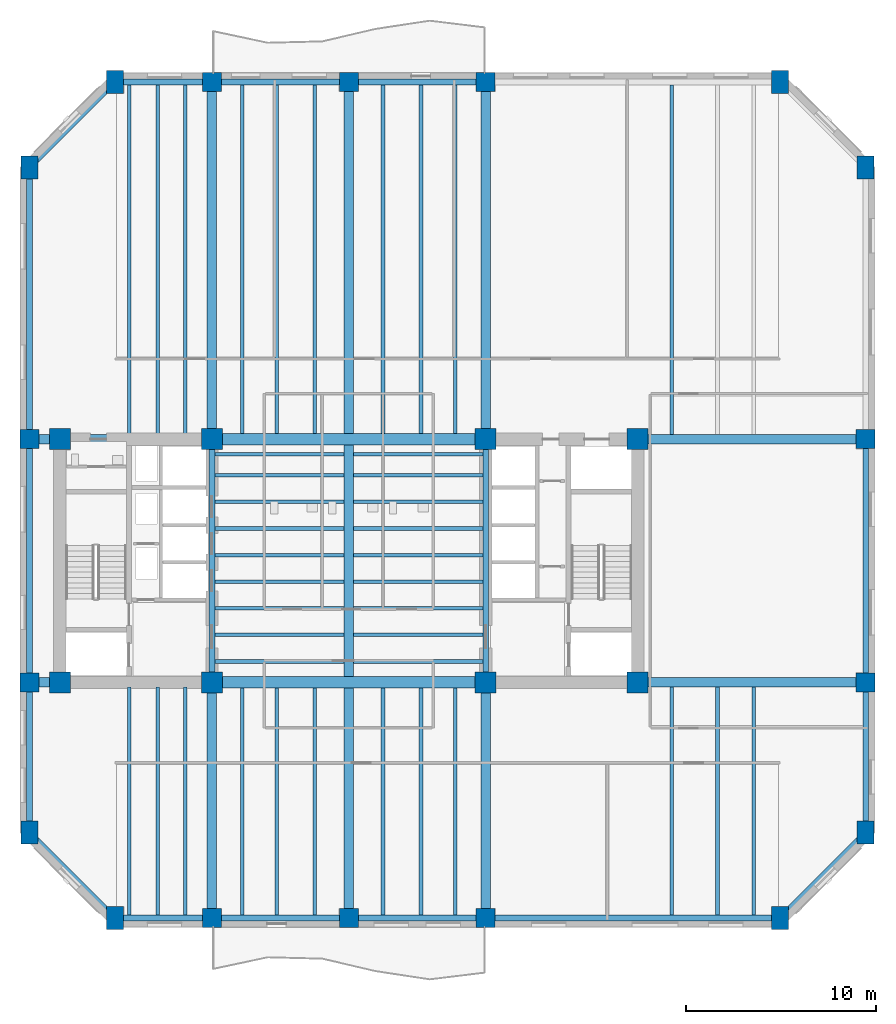
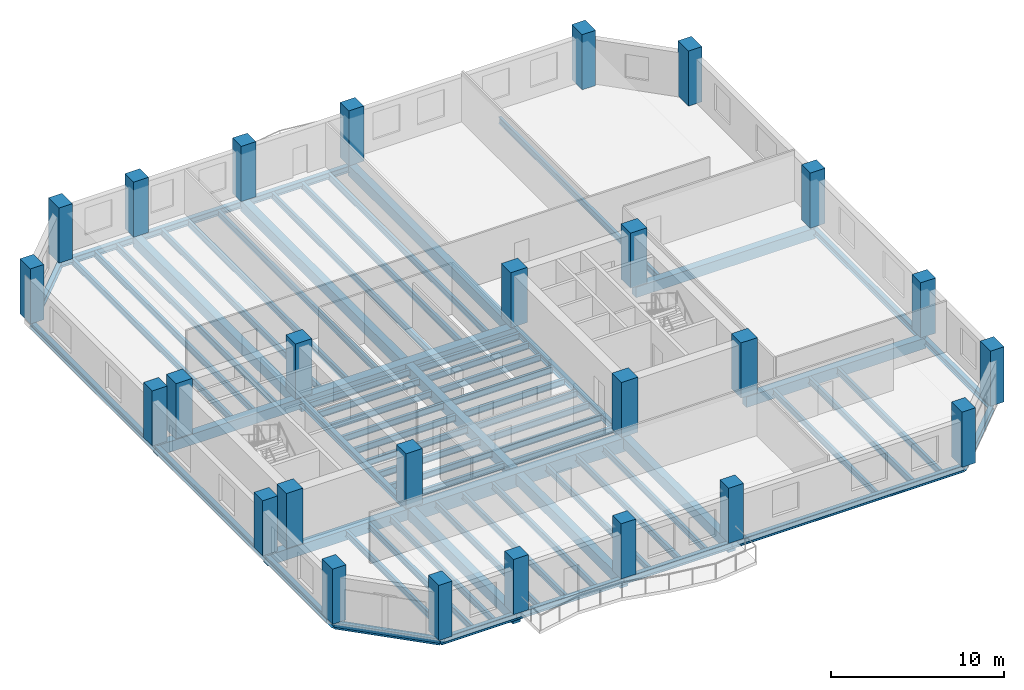
# One storey, part 1 of 9: 70 beams, 26 columns.
"""IFC4 building model written with IfcOpenShell, lengths in metres."""

import ifcopenshell
import ifcopenshell.guid

model = None  # the IFC model being written
_history = None  # IfcOwnerHistory: only IFC2X3 demands one
_inside = {}  # id of a spatial element -> (the spatial element, [elements in it])
_under = {}  # id of a project, library or spatial element -> (it, [spatial elements below it])
_declared = {}  # id of a project -> (the project, [libraries it declares])
_typed = {}  # id of a type object -> (the type object, [elements of that type])
_made_of = {}  # id of a material, layer set ... -> (it, [elements and type objects made of it])


def new_model(schema):
    """Start an empty IFC model of exactly this schema.

    Asked for "IFC4X3", IfcOpenShell would pick the latest addendum, in which some entities
    have other attributes; the version numbers below select the first issue.
    IFC2X3 requires an IfcOwnerHistory on every rooted entity: one is made here for all.
    """
    global model, _history
    if schema == "IFC4X3":
        model = ifcopenshell.file(schema_version=(4, 3, 0, 0))
    else:
        model = ifcopenshell.file(schema=schema)
    _inside.clear()
    _under.clear()
    _declared.clear()
    _typed.clear()
    _made_of.clear()
    _history = None
    if model.schema == "IFC2X3":
        org = make("IfcOrganization", Name="unknown")
        user = make(
            "IfcPersonAndOrganization",
            ThePerson=make("IfcPerson", FamilyName="unknown"),
            TheOrganization=org,
        )
        app = make(
            "IfcApplication",
            ApplicationDeveloper=org,
            Version="unknown",
            ApplicationFullName="unknown",
            ApplicationIdentifier="unknown",
        )
        _history = make(
            "IfcOwnerHistory",
            OwningUser=user,
            OwningApplication=app,
            ChangeAction="ADDED",
            CreationDate=0,
        )
    return model


def make(cls, **values):
    """One entity of the class cls with the attributes given. An attribute that is None is left unset."""
    return model.create_entity(
        cls, **{name: value for name, value in values.items() if value is not None}
    )


def rooted(cls, **values):
    """An entity with a GlobalId (a new one), such as an element, a storey or a relation."""
    return make(cls, GlobalId=ifcopenshell.guid.new(), OwnerHistory=_history, **values)


def si_unit(unit_type, name, prefix=None):
    """IfcSIUnit, for example si_unit("LENGTHUNIT", "METRE", prefix="MILLI")."""
    return make("IfcSIUnit", UnitType=unit_type, Prefix=prefix, Name=name)


def assignment(units):
    """IfcUnitAssignment: the units of a project."""
    return None if units is None else make("IfcUnitAssignment", Units=units)


def point(xyz):
    """IfcCartesianPoint."""
    return None if xyz is None else make("IfcCartesianPoint", Coordinates=xyz)


def direction(xyz):
    """IfcDirection."""
    return None if xyz is None else make("IfcDirection", DirectionRatios=xyz)


def frame(location, z_axis=None, x_axis=None):
    """IfcAxis2Placement3D, a coordinate frame: its origin and axes. An axis left out is left unset."""
    return make(
        "IfcAxis2Placement3D",
        Location=point(location),
        Axis=direction(z_axis),
        RefDirection=direction(x_axis),
    )


def frame_2d(location, x_axis=None):
    """IfcAxis2Placement2D, a coordinate frame in the plane: its origin and x axis."""
    return make(
        "IfcAxis2Placement2D", Location=point(location), RefDirection=direction(x_axis)
    )


def origin():
    """The frame at (0, 0, 0) with its axes left unset."""
    return frame((0.0, 0.0, 0.0))


def origin_2d():
    """The frame at (0, 0) in the plane with its x axis left unset."""
    return frame_2d((0.0, 0.0))


def place(relative_to, where):
    """IfcLocalPlacement: puts the frame where relative to a parent placement (None: the world)."""
    return make(
        "IfcLocalPlacement", PlacementRelTo=relative_to, RelativePlacement=where
    )


def context(
    kind, dimensions, precision=None, world=None, true_north=None, identifier=None
):
    """IfcGeometricRepresentationContext, for example the 3D "Model" context."""
    return make(
        "IfcGeometricRepresentationContext",
        ContextIdentifier=identifier,
        ContextType=kind,
        CoordinateSpaceDimension=dimensions,
        Precision=precision,
        WorldCoordinateSystem=world,
        TrueNorth=true_north,
    )


def subcontext(parent, identifier, kind, view, scale=None):
    """IfcGeometricRepresentationSubContext, for example "Body" below "Model"."""
    return make(
        "IfcGeometricRepresentationSubContext",
        ContextIdentifier=identifier,
        ContextType=kind,
        ParentContext=parent,
        TargetScale=scale,
        TargetView=view,
    )


def project(units=None, contexts=None):
    """IfcProject with its units and contexts."""
    return rooted(
        "IfcProject",
        Name="project",
        RepresentationContexts=contexts,
        UnitsInContext=assignment(units),
    )


def spatial(cls, under=None, at=None, **own):
    """A site, building, storey or space (cls), placed at a placement, below another one or the project."""
    s = rooted(cls, ObjectPlacement=at, **own)
    if under is not None:
        _under.setdefault(under.id(), (under, []))[1].append(s)
    return s


def profile(cls, at=None, kind="AREA", **sizes):
    """A parametric profile (cls). Its sizes go by their IFC names, for example OverallWidth=200.0."""
    return make(cls, ProfileType=kind, Position=at, **sizes)


def rectangle(**sizes):
    """IfcRectangleProfileDef."""
    return profile("IfcRectangleProfileDef", **sizes)


def i_section(**sizes):
    """IfcIShapeProfileDef."""
    return profile("IfcIShapeProfileDef", **sizes)


def extrude(swept, where, along, depth):
    """IfcExtrudedAreaSolid: the profile swept, set in the frame where, extruded along a direction by depth."""
    return make(
        "IfcExtrudedAreaSolid",
        SweptArea=swept,
        Position=where,
        ExtrudedDirection=direction(along),
        Depth=depth,
    )


def shape(context_of_items, identifier, shape_type, items):
    """IfcShapeRepresentation: the items that make up one representation, for example the "Body"."""
    return make(
        "IfcShapeRepresentation",
        ContextOfItems=context_of_items,
        RepresentationIdentifier=identifier,
        RepresentationType=shape_type,
        Items=items,
    )


def material(Name=None, Category=None):
    """IfcMaterial."""
    return make("IfcMaterial", Name=Name, Category=Category)


def material_profile(
    of_material, cross_section, Name=None, Category=None, Priority=None
):
    """IfcMaterialProfile: a cross section and its material."""
    return make(
        "IfcMaterialProfile",
        Name=Name,
        Material=of_material,
        Profile=cross_section,
        Priority=Priority,
        Category=Category,
    )


def profile_set(profiles, Name=None, composite=None):
    """IfcMaterialProfileSet."""
    return make(
        "IfcMaterialProfileSet",
        Name=Name,
        MaterialProfiles=profiles,
        CompositeProfile=composite,
    )


def made_of(thing, what):
    """Note that an element or type object is made of a material, layer set ...; save() writes the relation."""
    if what is not None:
        _made_of.setdefault(what.id(), (what, []))[1].append(thing)
    return thing


def type_object(cls, material=None, **own):
    """A type object (cls), such as IfcWallType, which elements share."""
    return made_of(rooted(cls, **own), material)


def element(
    cls,
    number,
    at=None,
    inside=None,
    cuts=None,
    type_object=None,
    material=None,
    context=None,
    identifier="Body",
    shape_type=None,
    held_by="IfcProductDefinitionShape",
    body=None,
    shapes=None,
    **own,
):
    """One element of the class cls, such as IfcWall. Its Tag is "e" and its number.

    at: its placement. inside: the storey or other place that contains it. cuts: it is an
    opening in that element (IfcRelVoidsElement). A single representation is given by context,
    identifier, shape_type and body (its items); several are given by shapes. held_by: the class
    of the entity that holds the representations. save() writes the other relations.
    """
    e = rooted(cls, Tag="e%d" % number, ObjectPlacement=at, **own)
    if body is not None:
        shapes = [shape(context, identifier, shape_type, body)]
    if shapes is not None:
        e.Representation = make(held_by, Representations=shapes)
    if inside is not None:
        _inside.setdefault(inside.id(), (inside, []))[1].append(e)
    if cuts is not None:
        rooted(
            "IfcRelVoidsElement", RelatingBuildingElement=cuts, RelatedOpeningElement=e
        )
    if type_object is not None:
        _typed.setdefault(type_object.id(), (type_object, []))[1].append(e)
    return made_of(e, material)


def aggregate(whole, parts):
    """IfcRelAggregates: a whole, such as a stair, and the parts it consists of."""
    return rooted("IfcRelAggregates", RelatingObject=whole, RelatedObjects=parts)


def save(model, path):
    """Write the relations noted so far, then the file.

    IfcRelAggregates (storeys below a building ...), IfcRelContainedInSpatialStructure (elements
    in a storey), IfcRelDefinesByType, IfcRelAssociatesMaterial and IfcRelDeclares: one each for
    every whole, place, type object, material and project.
    """
    for whole, parts in _under.values():
        aggregate(whole, parts)
    for where, things in _inside.values():
        rooted(
            "IfcRelContainedInSpatialStructure",
            RelatedElements=things,
            RelatingStructure=where,
        )
    for kind, things in _typed.values():
        rooted("IfcRelDefinesByType", RelatedObjects=things, RelatingType=kind)
    for what, things in _made_of.values():
        rooted("IfcRelAssociatesMaterial", RelatedObjects=things, RelatingMaterial=what)
    for by, libraries in _declared.values():
        rooted("IfcRelDeclares", RelatingContext=by, RelatedDefinitions=libraries)
    model.write(path)


model = new_model("IFC4")

# Units and contexts
model_context = context("Model", 3, precision=1e-05, world=origin(), true_north=direction((0.0, 1.0)))
body_context = subcontext(model_context, "Body", "Model", "MODEL_VIEW")
ifc_project = project(units=[si_unit("LENGTHUNIT", "METRE"), si_unit("AREAUNIT", "SQUARE_METRE"), si_unit("VOLUMEUNIT", "CUBIC_METRE"), si_unit("PLANEANGLEUNIT", "RADIAN"), si_unit("MASSUNIT", "GRAM", prefix="KILO")], contexts=[model_context])

# Site, building, storey
site_placement = place(None, origin())
site = spatial("IfcSite", under=ifc_project, at=site_placement, CompositionType="ELEMENT")
building_placement = place(site_placement, origin())
building = spatial("IfcBuilding", under=site, at=building_placement, Name="Kranthara Brick Stack", CompositionType="ELEMENT")
storey_placement = place(building_placement, frame((0.0, 0.0, 78.89990234375)))
storey = spatial("IfcBuildingStorey", under=building, at=storey_placement, Name="L19", CompositionType="ELEMENT", Elevation=78.89990234375)

# Columns
ifc_material_1 = material(Name="Concrete C70/85", Category="concrete")
ifc_material_profile_1 = material_profile(ifc_material_1, rectangle(XDim=0.89990234375, YDim=1.199951171875, at=origin_2d()), Name="RC 900x1200")
ifc_profile_set_1 = profile_set([ifc_material_profile_1], Name="Concrete C70/85")
column_type_1 = type_object("IfcColumnType", Name="COL-CHAM-900x1200", PredefinedType="COLUMN", material=ifc_profile_set_1)
for number, where, z_axis, x_axis, name in (
    (1, (15.699951171875, 8.39990234375, 0.0), (0.0, 0.0, 1.0), (1.0, 0.0, 0.0), "L19 Column 09"),
    (2, (15.699951171875, 52.39990234375, 0.0), (0.0, 0.0, 1.0), (1.0, 0.0, 0.0), "L19 Column 10"),
    (3, (50.699951171875, 8.39990234375, 0.0), (0.0, 0.0, 1.0), (1.0, 0.0, 0.0), "L19 Column 17"),
    (4, (50.699951171875, 52.39990234375, 0.0), (0.0, 0.0, 1.0), (1.0, 0.0, 0.0), "L19 Column 18"),
    (5, (11.199951171875, 12.89990234375, 0.0), (0.0, 0.0, 1.0), (1.0, 0.0, 0.0), "L19 Column 19"),
    (6, (55.199951171875, 12.89990234375, 0.0), (0.0, 0.0, 1.0), (1.0, 0.0, 0.0), "L19 Column 20"),
    (7, (11.199951171875, 47.89990234375, 0.0), (0.0, 0.0, 1.0), (1.0, 0.0, 0.0), "L19 Column 25"),
    (8, (55.199951171875, 47.89990234375, 0.0), (0.0, 0.0, 1.0), (1.0, 0.0, 0.0), "L19 Column 26"),
):
    element("IfcColumn", number, at=place(storey_placement, frame(where, z_axis=z_axis, x_axis=x_axis)), inside=storey, type_object=column_type_1, Name=name, PredefinedType="COLUMN", context=body_context, shape_type="SweptSolid", body=[
        extrude(rectangle(XDim=0.89990234375, YDim=1.199951171875, at=origin_2d()), origin(), (0.0, 0.0, 1.0), 3.900146484375),
    ])
ifc_material_2 = material(Name="Concrete C70/85", Category="concrete")
ifc_material_profile_2 = material_profile(ifc_material_2, rectangle(XDim=1.10009765625, YDim=1.10009765625, at=origin_2d()), Name="RC 1100x1100")
ifc_profile_set_2 = profile_set([ifc_material_profile_2], Name="Concrete C70/85")
column_type_2 = type_object("IfcColumnType", Name="COL-CORE-1100", PredefinedType="COLUMN", material=ifc_profile_set_2)
for number, where, z_axis, x_axis, name in (
    (9, (12.800048828125, 20.800048828125, 0.0), (0.0, 0.0, 1.0), (1.0, 0.0, 0.0), "L19 Column 01"),
    (10, (20.800048828125, 20.800048828125, 0.0), (0.0, 0.0, 1.0), (1.0, 0.0, 0.0), "L19 Column 02"),
    (11, (12.800048828125, 33.60009765625, 0.0), (0.0, 0.0, 1.0), (1.0, 0.0, 0.0), "L19 Column 03"),
    (12, (20.800048828125, 33.60009765625, 0.0), (0.0, 0.0, 1.0), (1.0, 0.0, 0.0), "L19 Column 04"),
    (13, (35.199951171875, 20.800048828125, 0.0), (0.0, 0.0, 1.0), (1.0, 0.0, 0.0), "L19 Column 05"),
    (14, (43.199951171875, 20.800048828125, 0.0), (0.0, 0.0, 1.0), (1.0, 0.0, 0.0), "L19 Column 06"),
    (15, (35.199951171875, 33.60009765625, 0.0), (0.0, 0.0, 1.0), (1.0, 0.0, 0.0), "L19 Column 07"),
    (16, (43.199951171875, 33.60009765625, 0.0), (0.0, 0.0, 1.0), (1.0, 0.0, 0.0), "L19 Column 08"),
):
    element("IfcColumn", number, at=place(storey_placement, frame(where, z_axis=z_axis, x_axis=x_axis)), inside=storey, type_object=column_type_2, Name=name, PredefinedType="COLUMN", context=body_context, shape_type="SweptSolid", body=[
        extrude(rectangle(XDim=1.10009765625, YDim=1.10009765625, at=origin_2d()), origin(), (0.0, 0.0, 1.0), 3.900146484375),
    ])
ifc_material_3 = material(Name="Concrete C60/75", Category="concrete")
ifc_material_profile_3 = material_profile(ifc_material_3, rectangle(XDim=1.0, YDim=1.0, at=origin_2d()), Name="RC 1000x1000")
ifc_profile_set_3 = profile_set([ifc_material_profile_3], Name="Concrete C60/75")
column_type_3 = type_object("IfcColumnType", Name="COL-PER-1000", PredefinedType="COLUMN", material=ifc_profile_set_3)
for number, where, z_axis, x_axis, name in (
    (17, (20.800048828125, 8.39990234375, 0.0), (0.0, 0.0, 1.0), (1.0, 0.0, 0.0), "L19 Column 11"),
    (18, (20.800048828125, 52.39990234375, 0.0), (0.0, 0.0, 1.0), (1.0, 0.0, 0.0), "L19 Column 12"),
    (19, (28.0, 8.39990234375, 0.0), (0.0, 0.0, 1.0), (1.0, 0.0, 0.0), "L19 Column 13"),
    (20, (28.0, 52.39990234375, 0.0), (0.0, 0.0, 1.0), (1.0, 0.0, 0.0), "L19 Column 14"),
    (21, (35.199951171875, 8.39990234375, 0.0), (0.0, 0.0, 1.0), (1.0, 0.0, 0.0), "L19 Column 15"),
    (22, (35.199951171875, 52.39990234375, 0.0), (0.0, 0.0, 1.0), (1.0, 0.0, 0.0), "L19 Column 16"),
    (23, (11.199951171875, 20.800048828125, 0.0), (0.0, 0.0, 1.0), (1.0, 0.0, 0.0), "L19 Column 21"),
    (24, (55.199951171875, 20.800048828125, 0.0), (0.0, 0.0, 1.0), (1.0, 0.0, 0.0), "L19 Column 22"),
    (25, (11.199951171875, 33.60009765625, 0.0), (0.0, 0.0, 1.0), (1.0, 0.0, 0.0), "L19 Column 23"),
    (26, (55.199951171875, 33.60009765625, 0.0), (0.0, 0.0, 1.0), (1.0, 0.0, 0.0), "L19 Column 24"),
):
    element("IfcColumn", number, at=place(storey_placement, frame(where, z_axis=z_axis, x_axis=x_axis)), inside=storey, type_object=column_type_3, Name=name, PredefinedType="COLUMN", context=body_context, shape_type="SweptSolid", body=[
        extrude(rectangle(XDim=1.0, YDim=1.0, at=origin_2d()), origin(), (0.0, 0.0, 1.0), 3.900146484375),
    ])

# Beams
ifc_material_4 = material(Name="Concrete C60/75", Category="concrete")
ifc_material_profile_4 = material_profile(ifc_material_4, rectangle(XDim=0.60009765625, YDim=0.949951171875, at=origin_2d()), Name="RC 600x950")
ifc_profile_set_4 = profile_set([ifc_material_profile_4], Name="Concrete C60/75")
beam_type_1 = type_object("IfcBeamType", Name="BM-CPL-RC950", PredefinedType="LINTEL", material=ifc_profile_set_4)
for number, where, z_axis, x_axis, name in (
    (27, (20.800048828125, 20.800048828125, -0.77490234375), (1.0, 0.0, 0.0), (0.0, 1.0, 0.0), "L19 Core Coupling Beam 001"),
    (28, (20.800048828125, 33.60009765625, -0.77490234375), (1.0, 0.0, 0.0), (0.0, 1.0, 0.0), "L19 Core Coupling Beam 002"),
):
    element("IfcBeam", number, at=place(storey_placement, frame(where, z_axis=z_axis, x_axis=x_axis)), inside=storey, type_object=beam_type_1, Name=name, PredefinedType="LINTEL", context=body_context, shape_type="SweptSolid", body=[
        extrude(rectangle(XDim=0.60009765625, YDim=0.949951171875, at=origin_2d()), origin(), (0.0, 0.0, 1.0), 14.39990234375),
    ])
ifc_material_5 = material(Name="Post-tensioned concrete C45/55", Category="concrete")
ifc_material_profile_5 = material_profile(ifc_material_5, rectangle(XDim=0.5, YDim=0.75, at=origin_2d()), Name="PT 500x750")
ifc_profile_set_5 = profile_set([ifc_material_profile_5], Name="Post-tensioned concrete C45/55")
beam_type_2 = type_object("IfcBeamType", Name="BM-FLR-PT750", PredefinedType="BEAM", material=ifc_profile_set_5)
beam_1_placement = place(storey_placement, frame((20.800048828125, 8.39990234375, -0.6748046875), z_axis=(0.0, 1.0, 0.0), x_axis=(-1.0, 0.0, 0.0)))
element("IfcBeam", 29, at=beam_1_placement, inside=storey, type_object=beam_type_2, Name="L19 Primary Grid Girder 023", PredefinedType="BEAM", context=body_context, shape_type="SweptSolid", body=[
    extrude(rectangle(XDim=0.5, YDim=0.75, at=origin_2d()), origin(), (0.0, 0.0, 1.0), 12.400146484375),
])
beam_2_placement = place(storey_placement, frame((20.800048828125, 33.60009765625, -0.6748046875), z_axis=(0.0, 1.0, 0.0), x_axis=(-1.0, 0.0, 0.0)))
element("IfcBeam", 30, at=beam_2_placement, inside=storey, type_object=beam_type_2, Name="L19 Primary Grid Girder 024", PredefinedType="BEAM", context=body_context, shape_type="SweptSolid", body=[
    extrude(rectangle(XDim=0.5, YDim=0.75, at=origin_2d()), origin(), (0.0, 0.0, 1.0), 18.7998046875),
])
beam_3_placement = place(storey_placement, frame((28.0, 8.39990234375, -0.6748046875), z_axis=(0.0, 1.0, 0.0), x_axis=(-1.0, 0.0, 0.0)))
element("IfcBeam", 31, at=beam_3_placement, inside=storey, type_object=beam_type_2, Name="L19 Primary Grid Girder 025", PredefinedType="BEAM", context=body_context, shape_type="SweptSolid", body=[
    extrude(rectangle(XDim=0.5, YDim=0.75, at=origin_2d()), origin(), (0.0, 0.0, 1.0), 12.10009765625),
])
beam_4_placement = place(storey_placement, frame((28.0, 21.10009765625, -0.6748046875), z_axis=(0.0, 1.0, 0.0), x_axis=(-1.0, 0.0, 0.0)))
element("IfcBeam", 32, at=beam_4_placement, inside=storey, type_object=beam_type_2, Name="L19 Central Spine Girder 026", PredefinedType="BEAM", context=body_context, shape_type="SweptSolid", body=[
    extrude(rectangle(XDim=0.5, YDim=0.75, at=origin_2d()), origin(), (0.0, 0.0, 1.0), 12.199951171875),
])
beam_5_placement = place(storey_placement, frame((28.0, 33.89990234375, -0.6748046875), z_axis=(0.0, 1.0, 0.0), x_axis=(-1.0, 0.0, 0.0)))
element("IfcBeam", 33, at=beam_5_placement, inside=storey, type_object=beam_type_2, Name="L19 Primary Grid Girder 027", PredefinedType="BEAM", context=body_context, shape_type="SweptSolid", body=[
    extrude(rectangle(XDim=0.5, YDim=0.75, at=origin_2d()), origin(), (0.0, 0.0, 1.0), 18.5),
])
beam_6_placement = place(storey_placement, frame((35.199951171875, 8.39990234375, -0.6748046875), z_axis=(0.0, 1.0, 0.0), x_axis=(-1.0, 0.0, 0.0)))
element("IfcBeam", 34, at=beam_6_placement, inside=storey, type_object=beam_type_2, Name="L19 Primary Grid Girder 028", PredefinedType="BEAM", context=body_context, shape_type="SweptSolid", body=[
    extrude(rectangle(XDim=0.5, YDim=0.75, at=origin_2d()), origin(), (0.0, 0.0, 1.0), 12.400146484375),
])
beam_7_placement = place(storey_placement, frame((35.199951171875, 33.60009765625, -0.6748046875), z_axis=(0.0, 1.0, 0.0), x_axis=(-1.0, 0.0, 0.0)))
element("IfcBeam", 35, at=beam_7_placement, inside=storey, type_object=beam_type_2, Name="L19 Primary Grid Girder 029", PredefinedType="BEAM", context=body_context, shape_type="SweptSolid", body=[
    extrude(rectangle(XDim=0.5, YDim=0.75, at=origin_2d()), origin(), (0.0, 0.0, 1.0), 18.7998046875),
])
beam_8_placement = place(storey_placement, frame((11.199951171875, 20.800048828125, -0.6748046875), z_axis=(1.0, 0.0, 0.0), x_axis=(0.0, 1.0, 0.0)))
element("IfcBeam", 36, at=beam_8_placement, inside=storey, type_object=beam_type_2, Name="L19 Primary Grid Girder 030", PredefinedType="BEAM", context=body_context, shape_type="SweptSolid", body=[
    extrude(rectangle(XDim=0.5, YDim=0.75, at=origin_2d()), origin(), (0.0, 0.0, 1.0), 9.60009765625),
])
beam_9_placement = place(storey_placement, frame((43.199951171875, 20.800048828125, -0.6748046875), z_axis=(1.0, 0.0, 0.0), x_axis=(0.0, 1.0, 0.0)))
element("IfcBeam", 37, at=beam_9_placement, inside=storey, type_object=beam_type_2, Name="L19 Primary Grid Girder 031", PredefinedType="BEAM", context=body_context, shape_type="SweptSolid", body=[
    extrude(rectangle(XDim=0.5, YDim=0.75, at=origin_2d()), origin(), (0.0, 0.0, 1.0), 12.0),
])
beam_10_placement = place(storey_placement, frame((11.199951171875, 33.60009765625, -0.6748046875), z_axis=(1.0, 0.0, 0.0), x_axis=(0.0, 1.0, 0.0)))
element("IfcBeam", 38, at=beam_10_placement, inside=storey, type_object=beam_type_2, Name="L19 Primary Grid Girder 032", PredefinedType="BEAM", context=body_context, shape_type="SweptSolid", body=[
    extrude(rectangle(XDim=0.5, YDim=0.75, at=origin_2d()), origin(), (0.0, 0.0, 1.0), 9.60009765625),
])
beam_11_placement = place(storey_placement, frame((43.199951171875, 33.60009765625, -0.6748046875), z_axis=(1.0, 0.0, 0.0), x_axis=(0.0, 1.0, 0.0)))
element("IfcBeam", 39, at=beam_11_placement, inside=storey, type_object=beam_type_2, Name="L19 Primary Grid Girder 033", PredefinedType="BEAM", context=body_context, shape_type="SweptSolid", body=[
    extrude(rectangle(XDim=0.5, YDim=0.75, at=origin_2d()), origin(), (0.0, 0.0, 1.0), 12.0),
])
ifc_material_6 = material(Name="Steel S355", Category="steel")
ifc_material_profile_6 = material_profile(ifc_material_6, i_section(OverallWidth=0.18994140625, OverallDepth=0.449951171875, WebThickness=0.009521484375, FlangeThickness=0.0146484375, at=origin_2d()), Name="IPE 450")
ifc_profile_set_6 = profile_set([ifc_material_profile_6], Name="Steel S355")
beam_type_3 = type_object("IfcBeamType", Name="BM-JST-IPE450", PredefinedType="JOIST", material=ifc_profile_set_6)
for number, where, z_axis, x_axis, name in (
    (40, (20.949951171875, 21.89990234375, -0.52490234375), (1.0, 0.0, 0.0), (0.0, 1.0, 0.0), "L19 Central Floor Joist 034"),
    (41, (28.25, 21.89990234375, -0.52490234375), (1.0, 0.0, 0.0), (0.0, 1.0, 0.0), "L19 Central Floor Joist 035"),
    (42, (20.949951171875, 23.300048828125, -0.52490234375), (1.0, 0.0, 0.0), (0.0, 1.0, 0.0), "L19 Central Floor Joist 036"),
    (43, (28.25, 23.300048828125, -0.52490234375), (1.0, 0.0, 0.0), (0.0, 1.0, 0.0), "L19 Central Floor Joist 037"),
    (44, (20.949951171875, 24.699951171875, -0.52490234375), (1.0, 0.0, 0.0), (0.0, 1.0, 0.0), "L19 Central Floor Joist 038"),
    (45, (28.25, 24.699951171875, -0.52490234375), (1.0, 0.0, 0.0), (0.0, 1.0, 0.0), "L19 Central Floor Joist 039"),
    (46, (20.949951171875, 26.10009765625, -0.52490234375), (1.0, 0.0, 0.0), (0.0, 1.0, 0.0), "L19 Central Floor Joist 040"),
    (47, (28.25, 26.10009765625, -0.52490234375), (1.0, 0.0, 0.0), (0.0, 1.0, 0.0), "L19 Central Floor Joist 041"),
    (48, (20.949951171875, 27.5, -0.52490234375), (1.0, 0.0, 0.0), (0.0, 1.0, 0.0), "L19 Central Floor Joist 042"),
    (49, (28.25, 27.5, -0.52490234375), (1.0, 0.0, 0.0), (0.0, 1.0, 0.0), "L19 Central Floor Joist 043"),
    (50, (20.949951171875, 28.89990234375, -0.52490234375), (1.0, 0.0, 0.0), (0.0, 1.0, 0.0), "L19 Central Floor Joist 044"),
    (51, (28.25, 28.89990234375, -0.52490234375), (1.0, 0.0, 0.0), (0.0, 1.0, 0.0), "L19 Central Floor Joist 045"),
    (52, (20.949951171875, 30.300048828125, -0.52490234375), (1.0, 0.0, 0.0), (0.0, 1.0, 0.0), "L19 Central Floor Joist 046"),
    (53, (28.25, 30.300048828125, -0.52490234375), (1.0, 0.0, 0.0), (0.0, 1.0, 0.0), "L19 Central Floor Joist 047"),
    (54, (20.949951171875, 31.699951171875, -0.52490234375), (1.0, 0.0, 0.0), (0.0, 1.0, 0.0), "L19 Central Floor Joist 048"),
    (55, (28.25, 31.699951171875, -0.52490234375), (1.0, 0.0, 0.0), (0.0, 1.0, 0.0), "L19 Central Floor Joist 049"),
    (56, (20.949951171875, 32.800048828125, -0.52490234375), (1.0, 0.0, 0.0), (0.0, 1.0, 0.0), "L19 Central Floor Joist 050"),
    (57, (28.25, 32.800048828125, -0.52490234375), (1.0, 0.0, 0.0), (0.0, 1.0, 0.0), "L19 Central Floor Joist 051"),
):
    element("IfcBeam", number, at=place(storey_placement, frame(where, z_axis=z_axis, x_axis=x_axis)), inside=storey, type_object=beam_type_3, Name=name, PredefinedType="JOIST", context=body_context, shape_type="SweptSolid", body=[
        extrude(i_section(OverallWidth=0.18994140625, OverallDepth=0.449951171875, WebThickness=0.009521484375, FlangeThickness=0.0146484375, at=origin_2d()), origin(), (0.0, 0.0, 1.0), 6.800048828125),
    ])
beam_12_placement = place(storey_placement, frame((16.449951171875, 8.550048828125, -0.52490234375), z_axis=(0.0, 1.0, 0.0), x_axis=(-1.0, 0.0, 0.0)))
element("IfcBeam", 58, at=beam_12_placement, inside=storey, type_object=beam_type_3, Name="L19 South Wing Floor Joist 052", PredefinedType="JOIST", context=body_context, shape_type="SweptSolid", body=[
    extrude(i_section(OverallWidth=0.18994140625, OverallDepth=0.449951171875, WebThickness=0.009521484375, FlangeThickness=0.0146484375, at=origin_2d()), origin(), (0.0, 0.0, 1.0), 12.0),
])
beam_13_placement = place(storey_placement, frame((16.449951171875, 33.85009765625, -0.52490234375), z_axis=(0.0, 1.0, 0.0), x_axis=(-1.0, 0.0, 0.0)))
element("IfcBeam", 59, at=beam_13_placement, inside=storey, type_object=beam_type_3, Name="L19 North Wing Floor Joist 053", PredefinedType="JOIST", context=body_context, shape_type="SweptSolid", body=[
    extrude(i_section(OverallWidth=0.18994140625, OverallDepth=0.449951171875, WebThickness=0.009521484375, FlangeThickness=0.0146484375, at=origin_2d()), origin(), (0.0, 0.0, 1.0), 18.39990234375),
])
beam_14_placement = place(storey_placement, frame((17.949951171875, 8.550048828125, -0.52490234375), z_axis=(0.0, 1.0, 0.0), x_axis=(-1.0, 0.0, 0.0)))
element("IfcBeam", 60, at=beam_14_placement, inside=storey, type_object=beam_type_3, Name="L19 South Wing Floor Joist 054", PredefinedType="JOIST", context=body_context, shape_type="SweptSolid", body=[
    extrude(i_section(OverallWidth=0.18994140625, OverallDepth=0.449951171875, WebThickness=0.009521484375, FlangeThickness=0.0146484375, at=origin_2d()), origin(), (0.0, 0.0, 1.0), 12.0),
])
beam_15_placement = place(storey_placement, frame((17.949951171875, 33.85009765625, -0.52490234375), z_axis=(0.0, 1.0, 0.0), x_axis=(-1.0, 0.0, 0.0)))
element("IfcBeam", 61, at=beam_15_placement, inside=storey, type_object=beam_type_3, Name="L19 North Wing Floor Joist 055", PredefinedType="JOIST", context=body_context, shape_type="SweptSolid", body=[
    extrude(i_section(OverallWidth=0.18994140625, OverallDepth=0.449951171875, WebThickness=0.009521484375, FlangeThickness=0.0146484375, at=origin_2d()), origin(), (0.0, 0.0, 1.0), 18.39990234375),
])
beam_16_placement = place(storey_placement, frame((19.39990234375, 8.550048828125, -0.52490234375), z_axis=(0.0, 1.0, 0.0), x_axis=(-1.0, 0.0, 0.0)))
element("IfcBeam", 62, at=beam_16_placement, inside=storey, type_object=beam_type_3, Name="L19 South Wing Floor Joist 056", PredefinedType="JOIST", context=body_context, shape_type="SweptSolid", body=[
    extrude(i_section(OverallWidth=0.18994140625, OverallDepth=0.449951171875, WebThickness=0.009521484375, FlangeThickness=0.0146484375, at=origin_2d()), origin(), (0.0, 0.0, 1.0), 12.0),
])
beam_17_placement = place(storey_placement, frame((19.39990234375, 33.85009765625, -0.52490234375), z_axis=(0.0, 1.0, 0.0), x_axis=(-1.0, 0.0, 0.0)))
element("IfcBeam", 63, at=beam_17_placement, inside=storey, type_object=beam_type_3, Name="L19 North Wing Floor Joist 057", PredefinedType="JOIST", context=body_context, shape_type="SweptSolid", body=[
    extrude(i_section(OverallWidth=0.18994140625, OverallDepth=0.449951171875, WebThickness=0.009521484375, FlangeThickness=0.0146484375, at=origin_2d()), origin(), (0.0, 0.0, 1.0), 18.39990234375),
])
beam_18_placement = place(storey_placement, frame((22.39990234375, 8.550048828125, -0.52490234375), z_axis=(0.0, 1.0, 0.0), x_axis=(-1.0, 0.0, 0.0)))
element("IfcBeam", 64, at=beam_18_placement, inside=storey, type_object=beam_type_3, Name="L19 South Wing Floor Joist 058", PredefinedType="JOIST", context=body_context, shape_type="SweptSolid", body=[
    extrude(i_section(OverallWidth=0.18994140625, OverallDepth=0.449951171875, WebThickness=0.009521484375, FlangeThickness=0.0146484375, at=origin_2d()), origin(), (0.0, 0.0, 1.0), 11.949951171875),
])
beam_19_placement = place(storey_placement, frame((22.39990234375, 33.89990234375, -0.52490234375), z_axis=(0.0, 1.0, 0.0), x_axis=(-1.0, 0.0, 0.0)))
element("IfcBeam", 65, at=beam_19_placement, inside=storey, type_object=beam_type_3, Name="L19 North Wing Floor Joist 059", PredefinedType="JOIST", context=body_context, shape_type="SweptSolid", body=[
    extrude(i_section(OverallWidth=0.18994140625, OverallDepth=0.449951171875, WebThickness=0.009521484375, FlangeThickness=0.0146484375, at=origin_2d()), origin(), (0.0, 0.0, 1.0), 18.35009765625),
])
beam_20_placement = place(storey_placement, frame((24.199951171875, 8.550048828125, -0.52490234375), z_axis=(0.0, 1.0, 0.0), x_axis=(-1.0, 0.0, 0.0)))
element("IfcBeam", 66, at=beam_20_placement, inside=storey, type_object=beam_type_3, Name="L19 South Wing Floor Joist 060", PredefinedType="JOIST", context=body_context, shape_type="SweptSolid", body=[
    extrude(i_section(OverallWidth=0.18994140625, OverallDepth=0.449951171875, WebThickness=0.009521484375, FlangeThickness=0.0146484375, at=origin_2d()), origin(), (0.0, 0.0, 1.0), 11.949951171875),
])
beam_21_placement = place(storey_placement, frame((24.199951171875, 33.89990234375, -0.52490234375), z_axis=(0.0, 1.0, 0.0), x_axis=(-1.0, 0.0, 0.0)))
element("IfcBeam", 67, at=beam_21_placement, inside=storey, type_object=beam_type_3, Name="L19 North Wing Floor Joist 061", PredefinedType="JOIST", context=body_context, shape_type="SweptSolid", body=[
    extrude(i_section(OverallWidth=0.18994140625, OverallDepth=0.449951171875, WebThickness=0.009521484375, FlangeThickness=0.0146484375, at=origin_2d()), origin(), (0.0, 0.0, 1.0), 18.35009765625),
])
beam_22_placement = place(storey_placement, frame((26.199951171875, 8.550048828125, -0.52490234375), z_axis=(0.0, 1.0, 0.0), x_axis=(-1.0, 0.0, 0.0)))
element("IfcBeam", 68, at=beam_22_placement, inside=storey, type_object=beam_type_3, Name="L19 South Wing Floor Joist 062", PredefinedType="JOIST", context=body_context, shape_type="SweptSolid", body=[
    extrude(i_section(OverallWidth=0.18994140625, OverallDepth=0.449951171875, WebThickness=0.009521484375, FlangeThickness=0.0146484375, at=origin_2d()), origin(), (0.0, 0.0, 1.0), 11.949951171875),
])
beam_23_placement = place(storey_placement, frame((26.199951171875, 33.89990234375, -0.52490234375), z_axis=(0.0, 1.0, 0.0), x_axis=(-1.0, 0.0, 0.0)))
element("IfcBeam", 69, at=beam_23_placement, inside=storey, type_object=beam_type_3, Name="L19 North Wing Floor Joist 063", PredefinedType="JOIST", context=body_context, shape_type="SweptSolid", body=[
    extrude(i_section(OverallWidth=0.18994140625, OverallDepth=0.449951171875, WebThickness=0.009521484375, FlangeThickness=0.0146484375, at=origin_2d()), origin(), (0.0, 0.0, 1.0), 18.35009765625),
])
beam_24_placement = place(storey_placement, frame((29.800048828125, 8.550048828125, -0.52490234375), z_axis=(0.0, 1.0, 0.0), x_axis=(-1.0, 0.0, 0.0)))
element("IfcBeam", 70, at=beam_24_placement, inside=storey, type_object=beam_type_3, Name="L19 South Wing Floor Joist 064", PredefinedType="JOIST", context=body_context, shape_type="SweptSolid", body=[
    extrude(i_section(OverallWidth=0.18994140625, OverallDepth=0.449951171875, WebThickness=0.009521484375, FlangeThickness=0.0146484375, at=origin_2d()), origin(), (0.0, 0.0, 1.0), 11.949951171875),
])
beam_25_placement = place(storey_placement, frame((29.800048828125, 33.89990234375, -0.52490234375), z_axis=(0.0, 1.0, 0.0), x_axis=(-1.0, 0.0, 0.0)))
element("IfcBeam", 71, at=beam_25_placement, inside=storey, type_object=beam_type_3, Name="L19 North Wing Floor Joist 065", PredefinedType="JOIST", context=body_context, shape_type="SweptSolid", body=[
    extrude(i_section(OverallWidth=0.18994140625, OverallDepth=0.449951171875, WebThickness=0.009521484375, FlangeThickness=0.0146484375, at=origin_2d()), origin(), (0.0, 0.0, 1.0), 18.35009765625),
])
beam_26_placement = place(storey_placement, frame((31.800048828125, 8.550048828125, -0.52490234375), z_axis=(0.0, 1.0, 0.0), x_axis=(-1.0, 0.0, 0.0)))
element("IfcBeam", 72, at=beam_26_placement, inside=storey, type_object=beam_type_3, Name="L19 South Wing Floor Joist 066", PredefinedType="JOIST", context=body_context, shape_type="SweptSolid", body=[
    extrude(i_section(OverallWidth=0.18994140625, OverallDepth=0.449951171875, WebThickness=0.009521484375, FlangeThickness=0.0146484375, at=origin_2d()), origin(), (0.0, 0.0, 1.0), 11.949951171875),
])
beam_27_placement = place(storey_placement, frame((31.800048828125, 33.89990234375, -0.52490234375), z_axis=(0.0, 1.0, 0.0), x_axis=(-1.0, 0.0, 0.0)))
element("IfcBeam", 73, at=beam_27_placement, inside=storey, type_object=beam_type_3, Name="L19 North Wing Floor Joist 067", PredefinedType="JOIST", context=body_context, shape_type="SweptSolid", body=[
    extrude(i_section(OverallWidth=0.18994140625, OverallDepth=0.449951171875, WebThickness=0.009521484375, FlangeThickness=0.0146484375, at=origin_2d()), origin(), (0.0, 0.0, 1.0), 18.35009765625),
])
beam_28_placement = place(storey_placement, frame((33.60009765625, 8.550048828125, -0.52490234375), z_axis=(0.0, 1.0, 0.0), x_axis=(-1.0, 0.0, 0.0)))
element("IfcBeam", 74, at=beam_28_placement, inside=storey, type_object=beam_type_3, Name="L19 South Wing Floor Joist 068", PredefinedType="JOIST", context=body_context, shape_type="SweptSolid", body=[
    extrude(i_section(OverallWidth=0.18994140625, OverallDepth=0.449951171875, WebThickness=0.009521484375, FlangeThickness=0.0146484375, at=origin_2d()), origin(), (0.0, 0.0, 1.0), 11.949951171875),
])
beam_29_placement = place(storey_placement, frame((33.60009765625, 33.89990234375, -0.52490234375), z_axis=(0.0, 1.0, 0.0), x_axis=(-1.0, 0.0, 0.0)))
element("IfcBeam", 75, at=beam_29_placement, inside=storey, type_object=beam_type_3, Name="L19 North Wing Floor Joist 069", PredefinedType="JOIST", context=body_context, shape_type="SweptSolid", body=[
    extrude(i_section(OverallWidth=0.18994140625, OverallDepth=0.449951171875, WebThickness=0.009521484375, FlangeThickness=0.0146484375, at=origin_2d()), origin(), (0.0, 0.0, 1.0), 18.35009765625),
])
beam_30_placement = place(storey_placement, frame((45.0, 8.550048828125, -0.52490234375), z_axis=(0.0, 1.0, 0.0), x_axis=(-1.0, 0.0, 0.0)))
element("IfcBeam", 76, at=beam_30_placement, inside=storey, type_object=beam_type_3, Name="L19 South Wing Floor Joist 070", PredefinedType="JOIST", context=body_context, shape_type="SweptSolid", body=[
    extrude(i_section(OverallWidth=0.18994140625, OverallDepth=0.449951171875, WebThickness=0.009521484375, FlangeThickness=0.0146484375, at=origin_2d()), origin(), (0.0, 0.0, 1.0), 12.0),
])
beam_31_placement = place(storey_placement, frame((45.0, 33.85009765625, -0.52490234375), z_axis=(0.0, 1.0, 0.0), x_axis=(-1.0, 0.0, 0.0)))
element("IfcBeam", 77, at=beam_31_placement, inside=storey, type_object=beam_type_3, Name="L19 North Wing Floor Joist 071", PredefinedType="JOIST", context=body_context, shape_type="SweptSolid", body=[
    extrude(i_section(OverallWidth=0.18994140625, OverallDepth=0.449951171875, WebThickness=0.009521484375, FlangeThickness=0.0146484375, at=origin_2d()), origin(), (0.0, 0.0, 1.0), 18.39990234375),
])
for number, where, z_axis, x_axis, name in (
    (78, (47.39990234375, 8.550048828125, -0.52490234375), (0.0, 1.0, 0.0), (-1.0, 0.0, 0.0), "L19 South Wing Floor Joist 072"),
    (79, (49.300048828125, 8.550048828125, -0.52490234375), (0.0, 1.0, 0.0), (-1.0, 0.0, 0.0), "L19 South Wing Floor Joist 074"),
):
    element("IfcBeam", number, at=place(storey_placement, frame(where, z_axis=z_axis, x_axis=x_axis)), inside=storey, type_object=beam_type_3, Name=name, PredefinedType="JOIST", context=body_context, shape_type="SweptSolid", body=[
        extrude(i_section(OverallWidth=0.18994140625, OverallDepth=0.449951171875, WebThickness=0.009521484375, FlangeThickness=0.0146484375, at=origin_2d()), origin(), (0.0, 0.0, 1.0), 12.0),
    ])
ifc_material_7 = material(Name="Steel S355", Category="steel")
ifc_material_profile_7 = material_profile(ifc_material_7, i_section(OverallWidth=0.300048828125, OverallDepth=0.449951171875, WebThickness=0.013916015625, FlangeThickness=0.02587890625, at=origin_2d()), Name="HEB 450")
ifc_profile_set_7 = profile_set([ifc_material_profile_7], Name="Steel S355")
beam_type_4 = type_object("IfcBeamType", Name="BM-STL-HEB450", PredefinedType="SPANDREL", material=ifc_profile_set_7)
for number, where, z_axis, x_axis, name in (
    (80, (20.800048828125, 20.800048828125, -0.52490234375), (0.0, 1.0, 0.0), (-1.0, 0.0, 0.0), "L19 Core Edge Tie Beam 003"),
    (81, (35.199951171875, 20.800048828125, -0.52490234375), (0.0, 1.0, 0.0), (-1.0, 0.0, 0.0), "L19 Core Edge Tie Beam 004"),
):
    element("IfcBeam", number, at=place(storey_placement, frame(where, z_axis=z_axis, x_axis=x_axis)), inside=storey, type_object=beam_type_4, Name=name, PredefinedType="SPANDREL", context=body_context, shape_type="SweptSolid", body=[
        extrude(i_section(OverallWidth=0.300048828125, OverallDepth=0.449951171875, WebThickness=0.013916015625, FlangeThickness=0.02587890625, at=origin_2d()), origin(), (0.0, 0.0, 1.0), 12.800048828125),
    ])
beam_32_placement = place(storey_placement, frame((15.699951171875, 8.39990234375, -0.52490234375), z_axis=(1.0, 0.0, 0.0), x_axis=(0.0, 1.0, 0.0)))
element("IfcBeam", 82, at=beam_32_placement, inside=storey, type_object=beam_type_4, Name="L19 Perimeter Spandrel Beam 005", PredefinedType="SPANDREL", context=body_context, shape_type="SweptSolid", body=[
    extrude(i_section(OverallWidth=0.300048828125, OverallDepth=0.449951171875, WebThickness=0.013916015625, FlangeThickness=0.02587890625, at=origin_2d()), origin(), (0.0, 0.0, 1.0), 5.10009765625),
])
for number, where, z_axis, x_axis, name in (
    (83, (20.800048828125, 8.39990234375, -0.52490234375), (1.0, 0.0, 0.0), (0.0, 1.0, 0.0), "L19 Perimeter Spandrel Beam 006"),
    (84, (28.0, 8.39990234375, -0.52490234375), (1.0, 0.0, 0.0), (0.0, 1.0, 0.0), "L19 Perimeter Spandrel Beam 007"),
):
    element("IfcBeam", number, at=place(storey_placement, frame(where, z_axis=z_axis, x_axis=x_axis)), inside=storey, type_object=beam_type_4, Name=name, PredefinedType="SPANDREL", context=body_context, shape_type="SweptSolid", body=[
        extrude(i_section(OverallWidth=0.300048828125, OverallDepth=0.449951171875, WebThickness=0.013916015625, FlangeThickness=0.02587890625, at=origin_2d()), origin(), (0.0, 0.0, 1.0), 7.199951171875),
    ])
beam_33_placement = place(storey_placement, frame((35.199951171875, 8.39990234375, -0.52490234375), z_axis=(1.0, 0.0, 0.0), x_axis=(0.0, 1.0, 0.0)))
element("IfcBeam", 85, at=beam_33_placement, inside=storey, type_object=beam_type_4, Name="L19 Perimeter Spandrel Beam 008", PredefinedType="SPANDREL", context=body_context, shape_type="SweptSolid", body=[
    extrude(i_section(OverallWidth=0.300048828125, OverallDepth=0.449951171875, WebThickness=0.013916015625, FlangeThickness=0.02587890625, at=origin_2d()), origin(), (0.0, 0.0, 1.0), 15.5),
])
beam_34_placement = place(storey_placement, frame((15.699951171875, 52.39990234375, -0.52490234375), z_axis=(1.0, 0.0, 0.0), x_axis=(0.0, 1.0, 0.0)))
element("IfcBeam", 86, at=beam_34_placement, inside=storey, type_object=beam_type_4, Name="L19 Perimeter Spandrel Beam 009", PredefinedType="SPANDREL", context=body_context, shape_type="SweptSolid", body=[
    extrude(i_section(OverallWidth=0.300048828125, OverallDepth=0.449951171875, WebThickness=0.013916015625, FlangeThickness=0.02587890625, at=origin_2d()), origin(), (0.0, 0.0, 1.0), 5.10009765625),
])
for number, where, z_axis, x_axis, name in (
    (87, (20.800048828125, 52.39990234375, -0.52490234375), (1.0, 0.0, 0.0), (0.0, 1.0, 0.0), "L19 Perimeter Spandrel Beam 010"),
    (88, (28.0, 52.39990234375, -0.52490234375), (1.0, 0.0, 0.0), (0.0, 1.0, 0.0), "L19 Perimeter Spandrel Beam 011"),
):
    element("IfcBeam", number, at=place(storey_placement, frame(where, z_axis=z_axis, x_axis=x_axis)), inside=storey, type_object=beam_type_4, Name=name, PredefinedType="SPANDREL", context=body_context, shape_type="SweptSolid", body=[
        extrude(i_section(OverallWidth=0.300048828125, OverallDepth=0.449951171875, WebThickness=0.013916015625, FlangeThickness=0.02587890625, at=origin_2d()), origin(), (0.0, 0.0, 1.0), 7.199951171875),
    ])
beam_35_placement = place(storey_placement, frame((11.199951171875, 12.89990234375, -0.52490234375), z_axis=(0.0, 1.0, 0.0), x_axis=(-1.0, 0.0, 0.0)))
element("IfcBeam", 89, at=beam_35_placement, inside=storey, type_object=beam_type_4, Name="L19 Perimeter Spandrel Beam 013", PredefinedType="SPANDREL", context=body_context, shape_type="SweptSolid", body=[
    extrude(i_section(OverallWidth=0.300048828125, OverallDepth=0.449951171875, WebThickness=0.013916015625, FlangeThickness=0.02587890625, at=origin_2d()), origin(), (0.0, 0.0, 1.0), 7.900146484375),
])
beam_36_placement = place(storey_placement, frame((11.199951171875, 20.800048828125, -0.52490234375), z_axis=(0.0, 1.0, 0.0), x_axis=(-1.0, 0.0, 0.0)))
element("IfcBeam", 90, at=beam_36_placement, inside=storey, type_object=beam_type_4, Name="L19 Perimeter Spandrel Beam 014", PredefinedType="SPANDREL", context=body_context, shape_type="SweptSolid", body=[
    extrude(i_section(OverallWidth=0.300048828125, OverallDepth=0.449951171875, WebThickness=0.013916015625, FlangeThickness=0.02587890625, at=origin_2d()), origin(), (0.0, 0.0, 1.0), 12.800048828125),
])
beam_37_placement = place(storey_placement, frame((11.199951171875, 33.60009765625, -0.52490234375), z_axis=(0.0, 1.0, 0.0), x_axis=(-1.0, 0.0, 0.0)))
element("IfcBeam", 91, at=beam_37_placement, inside=storey, type_object=beam_type_4, Name="L19 Perimeter Spandrel Beam 015", PredefinedType="SPANDREL", context=body_context, shape_type="SweptSolid", body=[
    extrude(i_section(OverallWidth=0.300048828125, OverallDepth=0.449951171875, WebThickness=0.013916015625, FlangeThickness=0.02587890625, at=origin_2d()), origin(), (0.0, 0.0, 1.0), 14.2998046875),
])
beam_38_placement = place(storey_placement, frame((55.199951171875, 12.89990234375, -0.52490234375), z_axis=(0.0, 1.0, 0.0), x_axis=(-1.0, 0.0, 0.0)))
element("IfcBeam", 92, at=beam_38_placement, inside=storey, type_object=beam_type_4, Name="L19 Perimeter Spandrel Beam 016", PredefinedType="SPANDREL", context=body_context, shape_type="SweptSolid", body=[
    extrude(i_section(OverallWidth=0.300048828125, OverallDepth=0.449951171875, WebThickness=0.013916015625, FlangeThickness=0.02587890625, at=origin_2d()), origin(), (0.0, 0.0, 1.0), 7.900146484375),
])
beam_39_placement = place(storey_placement, frame((55.199951171875, 20.800048828125, -0.52490234375), z_axis=(0.0, 1.0, 0.0), x_axis=(-1.0, 0.0, 0.0)))
element("IfcBeam", 93, at=beam_39_placement, inside=storey, type_object=beam_type_4, Name="L19 Perimeter Spandrel Beam 017", PredefinedType="SPANDREL", context=body_context, shape_type="SweptSolid", body=[
    extrude(i_section(OverallWidth=0.300048828125, OverallDepth=0.449951171875, WebThickness=0.013916015625, FlangeThickness=0.02587890625, at=origin_2d()), origin(), (0.0, 0.0, 1.0), 12.800048828125),
])
for number, where, z_axis, x_axis, name in (
    (94, (15.699951171875, 8.39990234375, -0.52490234375), (-0.707106781187, 0.707106781187, 0.0), (-0.707106781187, -0.707106781187, 0.0), "L19 Chamfer Corner Spandrel 019"),
    (95, (50.699951171875, 8.39990234375, -0.52490234375), (0.707106781187, 0.707106781187, 0.0), (-0.707106781187, 0.707106781187, 0.0), "L19 Chamfer Corner Spandrel 020"),
    (96, (15.699951171875, 52.39990234375, -0.52490234375), (-0.707106781187, -0.707106781187, 0.0), (0.707106781187, -0.707106781187, 0.0), "L19 Chamfer Corner Spandrel 021"),
):
    element("IfcBeam", number, at=place(storey_placement, frame(where, z_axis=z_axis, x_axis=x_axis)), inside=storey, type_object=beam_type_4, Name=name, PredefinedType="SPANDREL", context=body_context, shape_type="SweptSolid", body=[
        extrude(i_section(OverallWidth=0.300048828125, OverallDepth=0.449951171875, WebThickness=0.013916015625, FlangeThickness=0.02587890625, at=origin_2d()), origin(), (0.0, 0.0, 1.0), 6.364013671875),
    ])

save(model, "model.ifc")
